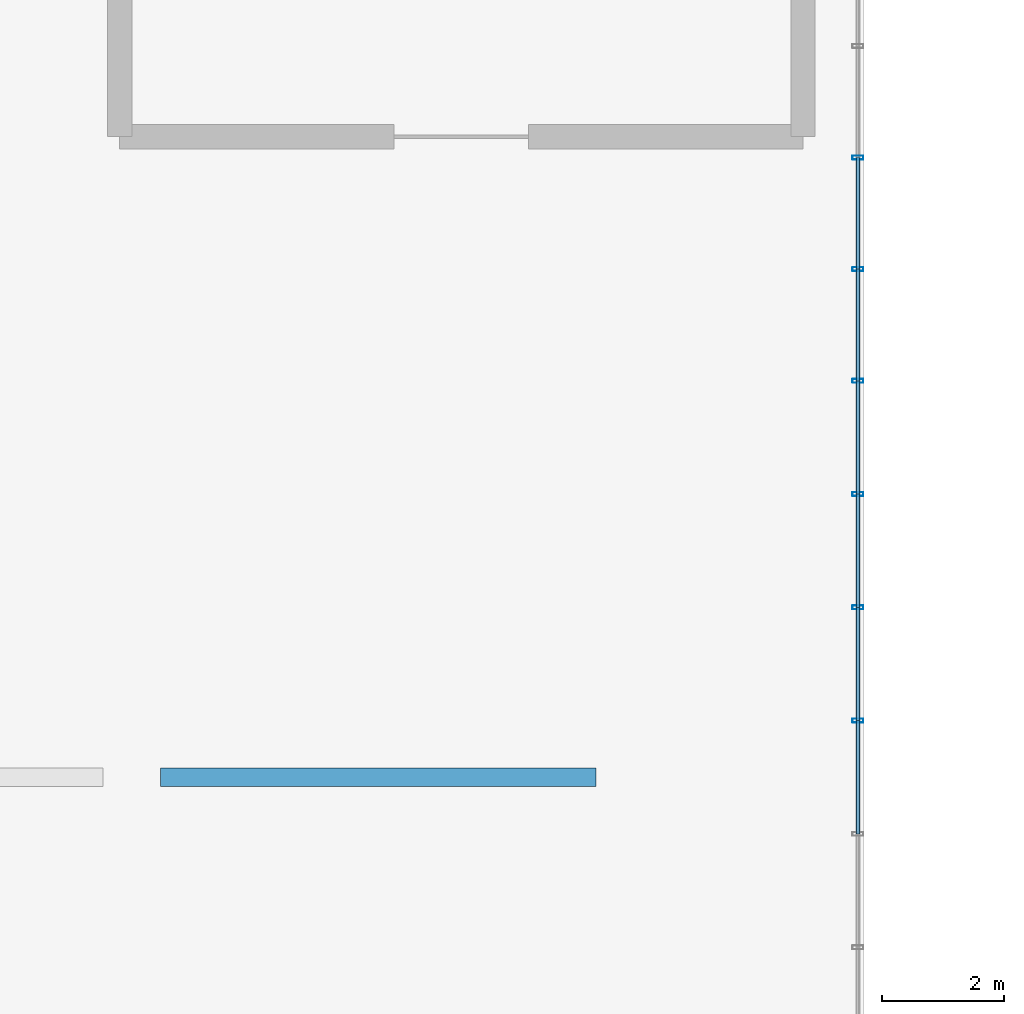
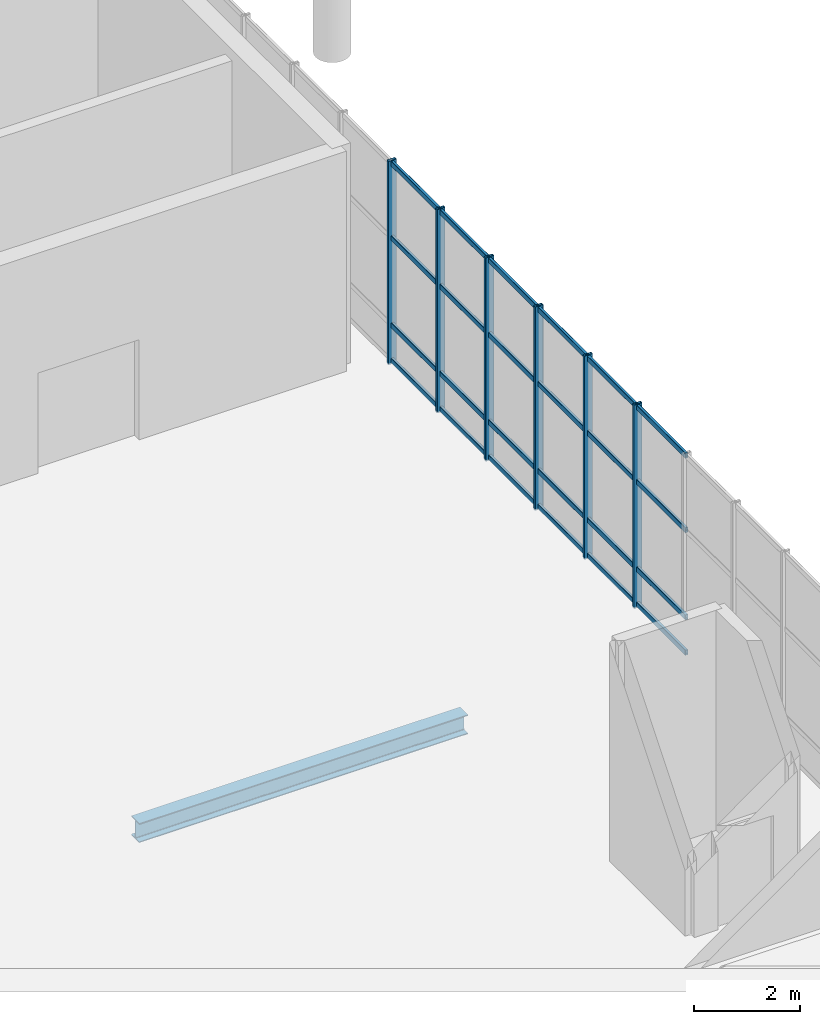
# One storey, part 117 of 176: 30 members, 1 beam, 2 elements without a shape of their own.
"""IFC4 building model written with IfcOpenShell, lengths in metres."""

from ifc_helpers import new_model, si_unit, direction, frame, origin, origin_2d, place, context, subcontext, project, spatial, hollow_rectangle, i_section, extrude, material, layer, layer_set, material_profile, profile_set, type_object, element, aggregate, save


model = new_model("IFC4")

# Units and contexts
model_context = context("Model", 3, precision=1e-05, world=origin(), true_north=direction((0.0, 1.0)))
body_context = subcontext(model_context, "Body", "Model", "MODEL_VIEW")
ifc_project = project(units=[si_unit("LENGTHUNIT", "METRE"), si_unit("AREAUNIT", "SQUARE_METRE"), si_unit("VOLUMEUNIT", "CUBIC_METRE"), si_unit("PLANEANGLEUNIT", "RADIAN"), si_unit("MASSUNIT", "GRAM", prefix="KILO")], contexts=[model_context])

# Site, building, storey
site_placement = place(None, origin())
site = spatial("IfcSite", under=ifc_project, at=site_placement, CompositionType="ELEMENT")
building_placement = place(site_placement, origin())
building = spatial("IfcBuilding", under=site, at=building_placement, Name="Khorjan Park Terminus", CompositionType="ELEMENT")
storey_placement = place(building_placement, frame((0.0, 0.0, 6.0)))
storey = spatial("IfcBuildingStorey", under=building, at=storey_placement, Name="L01", CompositionType="ELEMENT", Elevation=6.0)

# Beam
ifc_material_1 = material(Name="Steel S355", Category="steel")
ifc_material_profile_1 = material_profile(ifc_material_1, i_section(OverallWidth=0.3, OverallDepth=0.44, WebThickness=0.0115, FlangeThickness=0.021, FilletRadius=0.027, at=origin_2d()), Name="HEA 450")
ifc_profile_set_1 = profile_set([ifc_material_profile_1], Name="Steel S355")
beam_type = type_object("IfcBeamType", Name="BM-HEA450", PredefinedType="BEAM", material=ifc_profile_set_1)
beam_placement = place(storey_placement, frame((120.47, 134.5, -0.58), z_axis=(1.0, 0.0, 0.0), x_axis=(0.0, 1.0, 0.0)))
element("IfcBeam", 1, at=beam_placement, inside=storey, type_object=beam_type, Name="Primary floor girder SB-A45 (L01)", PredefinedType="BEAM", context=body_context, shape_type="SweptSolid", body=[
    extrude(i_section(OverallWidth=0.3, OverallDepth=0.44, WebThickness=0.0115, FlangeThickness=0.021, FilletRadius=0.027, at=origin_2d()), origin(), (0.0, 0.0, 1.0), 7.135),
])

# Curtain wall, members
ifc_material_2 = material(Name="Anodized Bronze Aluminium", Category="aluminium")
ifc_layer = layer(ifc_material_2, 0.22)
ifc_layer_set = layer_set([ifc_layer], Name="Anodized Bronze Aluminium")
curtain_wall_type = type_object("IfcCurtainWallType", Name="CW-BRG-D", PredefinedType="NOTDEFINED", material=ifc_layer_set)
curtain_wall_1_placement = place(storey_placement, origin())
curtain_wall_1 = element("IfcCurtainWall", 2, at=curtain_wall_1_placement, inside=storey, type_object=curtain_wall_type, Name="Unitized curtain wall CW-D (CW-BRE-E-3)", PredefinedType="NOTDEFINED")
ifc_material_profile_2 = material_profile(ifc_material_2, hollow_rectangle(XDim=0.065, YDim=0.18, WallThickness=0.004, InnerFilletRadius=0.004, OuterFilletRadius=0.008, at=origin_2d()), Name="ALM 65x180x4")
ifc_profile_set_2 = profile_set([ifc_material_profile_2], Name="Anodized Bronze Aluminium")
member_type_1 = type_object("IfcMemberType", Name="ML-ALM-180", PredefinedType="MULLION", material=ifc_profile_set_2)
member_1_placement = place(storey_placement, frame((131.9, 135.4286, -0.035), z_axis=(0.0, 0.0, 1.0), x_axis=(0.0, 1.0, 0.0)))
member_1 = element("IfcMember", 3, at=member_1_placement, type_object=member_type_1, Name="Curtain-wall mullion ML-18 (CW-BRE-E-3-4)", PredefinedType="MULLION", context=body_context, shape_type="SweptSolid", body=[
    extrude(hollow_rectangle(XDim=0.065, YDim=0.18, WallThickness=0.004, InnerFilletRadius=0.004, OuterFilletRadius=0.008, at=origin_2d()), origin(), (0.0, 0.0, 1.0), 4.67),
])
member_2_placement = place(storey_placement, frame((131.9, 137.2857, -0.035), z_axis=(0.0, 0.0, 1.0), x_axis=(0.0, 1.0, 0.0)))
member_2 = element("IfcMember", 4, at=member_2_placement, type_object=member_type_1, Name="Curtain-wall mullion ML-18 (CW-BRE-E-3-5)", PredefinedType="MULLION", context=body_context, shape_type="SweptSolid", body=[
    extrude(hollow_rectangle(XDim=0.065, YDim=0.18, WallThickness=0.004, InnerFilletRadius=0.004, OuterFilletRadius=0.008, at=origin_2d()), origin(), (0.0, 0.0, 1.0), 4.67),
])
member_3_placement = place(storey_placement, frame((131.9, 139.1429, -0.035), z_axis=(0.0, 0.0, 1.0), x_axis=(0.0, 1.0, 0.0)))
member_3 = element("IfcMember", 5, at=member_3_placement, type_object=member_type_1, Name="Curtain-wall mullion ML-18 (CW-BRE-E-3-6)", PredefinedType="MULLION", context=body_context, shape_type="SweptSolid", body=[
    extrude(hollow_rectangle(XDim=0.065, YDim=0.18, WallThickness=0.004, InnerFilletRadius=0.004, OuterFilletRadius=0.008, at=origin_2d()), origin(), (0.0, 0.0, 1.0), 4.67),
])
member_4_placement = place(storey_placement, frame((131.9, 141.0, -0.035), z_axis=(0.0, 0.0, 1.0), x_axis=(0.0, 1.0, 0.0)))
member_4 = element("IfcMember", 6, at=member_4_placement, type_object=member_type_1, Name="Curtain-wall mullion ML-18 (CW-BRE-E-3-7)", PredefinedType="MULLION", context=body_context, shape_type="SweptSolid", body=[
    extrude(hollow_rectangle(XDim=0.065, YDim=0.18, WallThickness=0.004, InnerFilletRadius=0.004, OuterFilletRadius=0.008, at=origin_2d()), origin(), (0.0, 0.0, 1.0), 4.67),
])

curtain_wall_2_placement = place(storey_placement, origin())
curtain_wall_2 = element("IfcCurtainWall", 7, at=curtain_wall_2_placement, inside=storey, type_object=curtain_wall_type, Name="Unitized curtain wall CW-D (CW-BRE-E-4)", PredefinedType="NOTDEFINED")
member_5_placement = place(storey_placement, frame((131.9, 142.8286, -0.035), z_axis=(0.0, 0.0, 1.0), x_axis=(0.0, 1.0, 0.0)))
member_5 = element("IfcMember", 8, at=member_5_placement, type_object=member_type_1, Name="Curtain-wall mullion ML-18 (CW-BRE-E-4-1)", PredefinedType="MULLION", context=body_context, shape_type="SweptSolid", body=[
    extrude(hollow_rectangle(XDim=0.065, YDim=0.18, WallThickness=0.004, InnerFilletRadius=0.004, OuterFilletRadius=0.008, at=origin_2d()), origin(), (0.0, 0.0, 1.0), 4.67),
])
member_6_placement = place(storey_placement, frame((131.9, 144.6571, -0.035), z_axis=(0.0, 0.0, 1.0), x_axis=(0.0, 1.0, 0.0)))
member_6 = element("IfcMember", 9, at=member_6_placement, type_object=member_type_1, Name="Curtain-wall mullion ML-18 (CW-BRE-E-4-2)", PredefinedType="MULLION", context=body_context, shape_type="SweptSolid", body=[
    extrude(hollow_rectangle(XDim=0.065, YDim=0.18, WallThickness=0.004, InnerFilletRadius=0.004, OuterFilletRadius=0.008, at=origin_2d()), origin(), (0.0, 0.0, 1.0), 4.67),
])

# Member
ifc_material_profile_3 = material_profile(ifc_material_2, hollow_rectangle(XDim=0.06, YDim=0.12, WallThickness=0.004, InnerFilletRadius=0.004, OuterFilletRadius=0.008, at=origin_2d()), Name="ALT 60x120x4")
ifc_profile_set_3 = profile_set([ifc_material_profile_3], Name="Anodized Bronze Aluminium")
member_type_2 = type_object("IfcMemberType", Name="TR-ALT-120", PredefinedType="USERDEFINED", material=ifc_profile_set_3)
member_7_placement = place(storey_placement, frame((131.9, 133.5714, 0.04), z_axis=(0.0, 1.0, 0.0), x_axis=(-1.0, 0.0, 0.0)))
member_7 = element("IfcMember", 10, at=member_7_placement, type_object=member_type_2, Name="Curtain-wall transom TR-12 (CW-BRE-E-3-3-1)", ObjectType="TRANSOM", PredefinedType="USERDEFINED", context=body_context, shape_type="SweptSolid", body=[
    extrude(hollow_rectangle(XDim=0.06, YDim=0.12, WallThickness=0.004, InnerFilletRadius=0.004, OuterFilletRadius=0.008, at=origin_2d()), origin(), (0.0, 0.0, 1.0), 1.8572),
])

member_8_placement = place(storey_placement, frame((131.9, 133.5714, 0.85), z_axis=(0.0, 1.0, 0.0), x_axis=(-1.0, 0.0, 0.0)))
member_8 = element("IfcMember", 11, at=member_8_placement, type_object=member_type_2, Name="Curtain-wall transom TR-12 (CW-BRE-E-3-3-2)", ObjectType="TRANSOM", PredefinedType="USERDEFINED", context=body_context, shape_type="SweptSolid", body=[
    extrude(hollow_rectangle(XDim=0.06, YDim=0.12, WallThickness=0.004, InnerFilletRadius=0.004, OuterFilletRadius=0.008, at=origin_2d()), origin(), (0.0, 0.0, 1.0), 1.8572),
])

member_9_placement = place(storey_placement, frame((131.9, 133.5714, 2.852), z_axis=(0.0, 1.0, 0.0), x_axis=(-1.0, 0.0, 0.0)))
member_9 = element("IfcMember", 12, at=member_9_placement, type_object=member_type_2, Name="Curtain-wall transom TR-12 (CW-BRE-E-3-3-3)", ObjectType="TRANSOM", PredefinedType="USERDEFINED", context=body_context, shape_type="SweptSolid", body=[
    extrude(hollow_rectangle(XDim=0.06, YDim=0.12, WallThickness=0.004, InnerFilletRadius=0.004, OuterFilletRadius=0.008, at=origin_2d()), origin(), (0.0, 0.0, 1.0), 1.8572),
])

member_10_placement = place(storey_placement, frame((131.9, 133.5714, 4.56), z_axis=(0.0, 1.0, 0.0), x_axis=(-1.0, 0.0, 0.0)))
member_10 = element("IfcMember", 13, at=member_10_placement, type_object=member_type_2, Name="Curtain-wall transom TR-12 (CW-BRE-E-3-3-4)", ObjectType="TRANSOM", PredefinedType="USERDEFINED", context=body_context, shape_type="SweptSolid", body=[
    extrude(hollow_rectangle(XDim=0.06, YDim=0.12, WallThickness=0.004, InnerFilletRadius=0.004, OuterFilletRadius=0.008, at=origin_2d()), origin(), (0.0, 0.0, 1.0), 1.8572),
])

member_11_placement = place(storey_placement, frame((131.9, 135.4286, 0.04), z_axis=(0.0, 1.0, 0.0), x_axis=(-1.0, 0.0, 0.0)))
member_11 = element("IfcMember", 14, at=member_11_placement, type_object=member_type_2, Name="Curtain-wall transom TR-12 (CW-BRE-E-3-4-1)", ObjectType="TRANSOM", PredefinedType="USERDEFINED", context=body_context, shape_type="SweptSolid", body=[
    extrude(hollow_rectangle(XDim=0.06, YDim=0.12, WallThickness=0.004, InnerFilletRadius=0.004, OuterFilletRadius=0.008, at=origin_2d()), origin(), (0.0, 0.0, 1.0), 1.8571),
])

member_12_placement = place(storey_placement, frame((131.9, 135.4286, 0.85), z_axis=(0.0, 1.0, 0.0), x_axis=(-1.0, 0.0, 0.0)))
member_12 = element("IfcMember", 15, at=member_12_placement, type_object=member_type_2, Name="Curtain-wall transom TR-12 (CW-BRE-E-3-4-2)", ObjectType="TRANSOM", PredefinedType="USERDEFINED", context=body_context, shape_type="SweptSolid", body=[
    extrude(hollow_rectangle(XDim=0.06, YDim=0.12, WallThickness=0.004, InnerFilletRadius=0.004, OuterFilletRadius=0.008, at=origin_2d()), origin(), (0.0, 0.0, 1.0), 1.8571),
])

member_13_placement = place(storey_placement, frame((131.9, 135.4286, 2.852), z_axis=(0.0, 1.0, 0.0), x_axis=(-1.0, 0.0, 0.0)))
member_13 = element("IfcMember", 16, at=member_13_placement, type_object=member_type_2, Name="Curtain-wall transom TR-12 (CW-BRE-E-3-4-3)", ObjectType="TRANSOM", PredefinedType="USERDEFINED", context=body_context, shape_type="SweptSolid", body=[
    extrude(hollow_rectangle(XDim=0.06, YDim=0.12, WallThickness=0.004, InnerFilletRadius=0.004, OuterFilletRadius=0.008, at=origin_2d()), origin(), (0.0, 0.0, 1.0), 1.8571),
])

member_14_placement = place(storey_placement, frame((131.9, 135.4286, 4.56), z_axis=(0.0, 1.0, 0.0), x_axis=(-1.0, 0.0, 0.0)))
member_14 = element("IfcMember", 17, at=member_14_placement, type_object=member_type_2, Name="Curtain-wall transom TR-12 (CW-BRE-E-3-4-4)", ObjectType="TRANSOM", PredefinedType="USERDEFINED", context=body_context, shape_type="SweptSolid", body=[
    extrude(hollow_rectangle(XDim=0.06, YDim=0.12, WallThickness=0.004, InnerFilletRadius=0.004, OuterFilletRadius=0.008, at=origin_2d()), origin(), (0.0, 0.0, 1.0), 1.8571),
])

member_15_placement = place(storey_placement, frame((131.9, 137.2857, 0.04), z_axis=(0.0, 1.0, 0.0), x_axis=(-1.0, 0.0, 0.0)))
member_15 = element("IfcMember", 18, at=member_15_placement, type_object=member_type_2, Name="Curtain-wall transom TR-12 (CW-BRE-E-3-5-1)", ObjectType="TRANSOM", PredefinedType="USERDEFINED", context=body_context, shape_type="SweptSolid", body=[
    extrude(hollow_rectangle(XDim=0.06, YDim=0.12, WallThickness=0.004, InnerFilletRadius=0.004, OuterFilletRadius=0.008, at=origin_2d()), origin(), (0.0, 0.0, 1.0), 1.8572),
])

member_16_placement = place(storey_placement, frame((131.9, 137.2857, 0.85), z_axis=(0.0, 1.0, 0.0), x_axis=(-1.0, 0.0, 0.0)))
member_16 = element("IfcMember", 19, at=member_16_placement, type_object=member_type_2, Name="Curtain-wall transom TR-12 (CW-BRE-E-3-5-2)", ObjectType="TRANSOM", PredefinedType="USERDEFINED", context=body_context, shape_type="SweptSolid", body=[
    extrude(hollow_rectangle(XDim=0.06, YDim=0.12, WallThickness=0.004, InnerFilletRadius=0.004, OuterFilletRadius=0.008, at=origin_2d()), origin(), (0.0, 0.0, 1.0), 1.8572),
])

member_17_placement = place(storey_placement, frame((131.9, 137.2857, 2.852), z_axis=(0.0, 1.0, 0.0), x_axis=(-1.0, 0.0, 0.0)))
member_17 = element("IfcMember", 20, at=member_17_placement, type_object=member_type_2, Name="Curtain-wall transom TR-12 (CW-BRE-E-3-5-3)", ObjectType="TRANSOM", PredefinedType="USERDEFINED", context=body_context, shape_type="SweptSolid", body=[
    extrude(hollow_rectangle(XDim=0.06, YDim=0.12, WallThickness=0.004, InnerFilletRadius=0.004, OuterFilletRadius=0.008, at=origin_2d()), origin(), (0.0, 0.0, 1.0), 1.8572),
])

member_18_placement = place(storey_placement, frame((131.9, 137.2857, 4.56), z_axis=(0.0, 1.0, 0.0), x_axis=(-1.0, 0.0, 0.0)))
member_18 = element("IfcMember", 21, at=member_18_placement, type_object=member_type_2, Name="Curtain-wall transom TR-12 (CW-BRE-E-3-5-4)", ObjectType="TRANSOM", PredefinedType="USERDEFINED", context=body_context, shape_type="SweptSolid", body=[
    extrude(hollow_rectangle(XDim=0.06, YDim=0.12, WallThickness=0.004, InnerFilletRadius=0.004, OuterFilletRadius=0.008, at=origin_2d()), origin(), (0.0, 0.0, 1.0), 1.8572),
])

member_19_placement = place(storey_placement, frame((131.9, 139.1429, 0.04), z_axis=(0.0, 1.0, 0.0), x_axis=(-1.0, 0.0, 0.0)))
member_19 = element("IfcMember", 22, at=member_19_placement, type_object=member_type_2, Name="Curtain-wall transom TR-12 (CW-BRE-E-3-6-1)", ObjectType="TRANSOM", PredefinedType="USERDEFINED", context=body_context, shape_type="SweptSolid", body=[
    extrude(hollow_rectangle(XDim=0.06, YDim=0.12, WallThickness=0.004, InnerFilletRadius=0.004, OuterFilletRadius=0.008, at=origin_2d()), origin(), (0.0, 0.0, 1.0), 1.8571),
])

member_20_placement = place(storey_placement, frame((131.9, 139.1429, 0.85), z_axis=(0.0, 1.0, 0.0), x_axis=(-1.0, 0.0, 0.0)))
member_20 = element("IfcMember", 23, at=member_20_placement, type_object=member_type_2, Name="Curtain-wall transom TR-12 (CW-BRE-E-3-6-2)", ObjectType="TRANSOM", PredefinedType="USERDEFINED", context=body_context, shape_type="SweptSolid", body=[
    extrude(hollow_rectangle(XDim=0.06, YDim=0.12, WallThickness=0.004, InnerFilletRadius=0.004, OuterFilletRadius=0.008, at=origin_2d()), origin(), (0.0, 0.0, 1.0), 1.8571),
])

member_21_placement = place(storey_placement, frame((131.9, 139.1429, 2.852), z_axis=(0.0, 1.0, 0.0), x_axis=(-1.0, 0.0, 0.0)))
member_21 = element("IfcMember", 24, at=member_21_placement, type_object=member_type_2, Name="Curtain-wall transom TR-12 (CW-BRE-E-3-6-3)", ObjectType="TRANSOM", PredefinedType="USERDEFINED", context=body_context, shape_type="SweptSolid", body=[
    extrude(hollow_rectangle(XDim=0.06, YDim=0.12, WallThickness=0.004, InnerFilletRadius=0.004, OuterFilletRadius=0.008, at=origin_2d()), origin(), (0.0, 0.0, 1.0), 1.8571),
])

member_22_placement = place(storey_placement, frame((131.9, 139.1429, 4.56), z_axis=(0.0, 1.0, 0.0), x_axis=(-1.0, 0.0, 0.0)))
member_22 = element("IfcMember", 25, at=member_22_placement, type_object=member_type_2, Name="Curtain-wall transom TR-12 (CW-BRE-E-3-6-4)", ObjectType="TRANSOM", PredefinedType="USERDEFINED", context=body_context, shape_type="SweptSolid", body=[
    extrude(hollow_rectangle(XDim=0.06, YDim=0.12, WallThickness=0.004, InnerFilletRadius=0.004, OuterFilletRadius=0.008, at=origin_2d()), origin(), (0.0, 0.0, 1.0), 1.8571),
])

aggregate(curtain_wall_1, [member_1, member_2, member_3, member_4, member_7, member_8, member_9, member_10, member_11, member_12, member_13, member_14, member_15, member_16, member_17, member_18, member_19, member_20, member_21, member_22])

member_23_placement = place(storey_placement, frame((131.9, 141.0, 0.04), z_axis=(0.0, 1.0, 0.0), x_axis=(-1.0, 0.0, 0.0)))
member_23 = element("IfcMember", 26, at=member_23_placement, type_object=member_type_2, Name="Curtain-wall transom TR-12 (CW-BRE-E-4-0-1)", ObjectType="TRANSOM", PredefinedType="USERDEFINED", context=body_context, shape_type="SweptSolid", body=[
    extrude(hollow_rectangle(XDim=0.06, YDim=0.12, WallThickness=0.004, InnerFilletRadius=0.004, OuterFilletRadius=0.008, at=origin_2d()), origin(), (0.0, 0.0, 1.0), 1.8286),
])

member_24_placement = place(storey_placement, frame((131.9, 141.0, 0.85), z_axis=(0.0, 1.0, 0.0), x_axis=(-1.0, 0.0, 0.0)))
member_24 = element("IfcMember", 27, at=member_24_placement, type_object=member_type_2, Name="Curtain-wall transom TR-12 (CW-BRE-E-4-0-2)", ObjectType="TRANSOM", PredefinedType="USERDEFINED", context=body_context, shape_type="SweptSolid", body=[
    extrude(hollow_rectangle(XDim=0.06, YDim=0.12, WallThickness=0.004, InnerFilletRadius=0.004, OuterFilletRadius=0.008, at=origin_2d()), origin(), (0.0, 0.0, 1.0), 1.8286),
])

member_25_placement = place(storey_placement, frame((131.9, 141.0, 2.852), z_axis=(0.0, 1.0, 0.0), x_axis=(-1.0, 0.0, 0.0)))
member_25 = element("IfcMember", 28, at=member_25_placement, type_object=member_type_2, Name="Curtain-wall transom TR-12 (CW-BRE-E-4-0-3)", ObjectType="TRANSOM", PredefinedType="USERDEFINED", context=body_context, shape_type="SweptSolid", body=[
    extrude(hollow_rectangle(XDim=0.06, YDim=0.12, WallThickness=0.004, InnerFilletRadius=0.004, OuterFilletRadius=0.008, at=origin_2d()), origin(), (0.0, 0.0, 1.0), 1.8286),
])

member_26_placement = place(storey_placement, frame((131.9, 141.0, 4.56), z_axis=(0.0, 1.0, 0.0), x_axis=(-1.0, 0.0, 0.0)))
member_26 = element("IfcMember", 29, at=member_26_placement, type_object=member_type_2, Name="Curtain-wall transom TR-12 (CW-BRE-E-4-0-4)", ObjectType="TRANSOM", PredefinedType="USERDEFINED", context=body_context, shape_type="SweptSolid", body=[
    extrude(hollow_rectangle(XDim=0.06, YDim=0.12, WallThickness=0.004, InnerFilletRadius=0.004, OuterFilletRadius=0.008, at=origin_2d()), origin(), (0.0, 0.0, 1.0), 1.8286),
])

member_27_placement = place(storey_placement, frame((131.9, 142.8286, 0.04), z_axis=(0.0, 1.0, 0.0), x_axis=(-1.0, 0.0, 0.0)))
member_27 = element("IfcMember", 30, at=member_27_placement, type_object=member_type_2, Name="Curtain-wall transom TR-12 (CW-BRE-E-4-1-1)", ObjectType="TRANSOM", PredefinedType="USERDEFINED", context=body_context, shape_type="SweptSolid", body=[
    extrude(hollow_rectangle(XDim=0.06, YDim=0.12, WallThickness=0.004, InnerFilletRadius=0.004, OuterFilletRadius=0.008, at=origin_2d()), origin(), (0.0, 0.0, 1.0), 1.8285),
])

member_28_placement = place(storey_placement, frame((131.9, 142.8286, 0.85), z_axis=(0.0, 1.0, 0.0), x_axis=(-1.0, 0.0, 0.0)))
member_28 = element("IfcMember", 31, at=member_28_placement, type_object=member_type_2, Name="Curtain-wall transom TR-12 (CW-BRE-E-4-1-2)", ObjectType="TRANSOM", PredefinedType="USERDEFINED", context=body_context, shape_type="SweptSolid", body=[
    extrude(hollow_rectangle(XDim=0.06, YDim=0.12, WallThickness=0.004, InnerFilletRadius=0.004, OuterFilletRadius=0.008, at=origin_2d()), origin(), (0.0, 0.0, 1.0), 1.8285),
])

member_29_placement = place(storey_placement, frame((131.9, 142.8286, 2.852), z_axis=(0.0, 1.0, 0.0), x_axis=(-1.0, 0.0, 0.0)))
member_29 = element("IfcMember", 32, at=member_29_placement, type_object=member_type_2, Name="Curtain-wall transom TR-12 (CW-BRE-E-4-1-3)", ObjectType="TRANSOM", PredefinedType="USERDEFINED", context=body_context, shape_type="SweptSolid", body=[
    extrude(hollow_rectangle(XDim=0.06, YDim=0.12, WallThickness=0.004, InnerFilletRadius=0.004, OuterFilletRadius=0.008, at=origin_2d()), origin(), (0.0, 0.0, 1.0), 1.8285),
])

member_30_placement = place(storey_placement, frame((131.9, 142.8286, 4.56), z_axis=(0.0, 1.0, 0.0), x_axis=(-1.0, 0.0, 0.0)))
member_30 = element("IfcMember", 33, at=member_30_placement, type_object=member_type_2, Name="Curtain-wall transom TR-12 (CW-BRE-E-4-1-4)", ObjectType="TRANSOM", PredefinedType="USERDEFINED", context=body_context, shape_type="SweptSolid", body=[
    extrude(hollow_rectangle(XDim=0.06, YDim=0.12, WallThickness=0.004, InnerFilletRadius=0.004, OuterFilletRadius=0.008, at=origin_2d()), origin(), (0.0, 0.0, 1.0), 1.8285),
])

aggregate(curtain_wall_2, [member_5, member_6, member_23, member_24, member_25, member_26, member_27, member_28, member_29, member_30])

save(model, "model.ifc")
